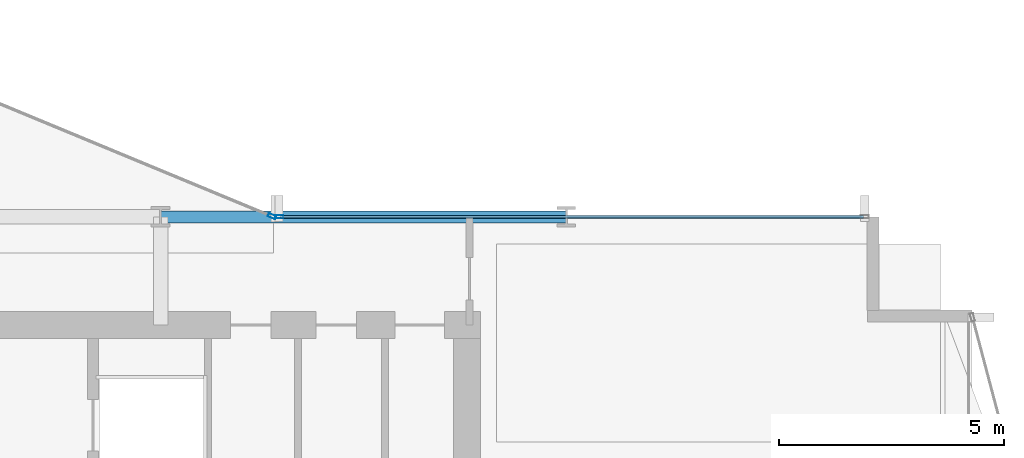
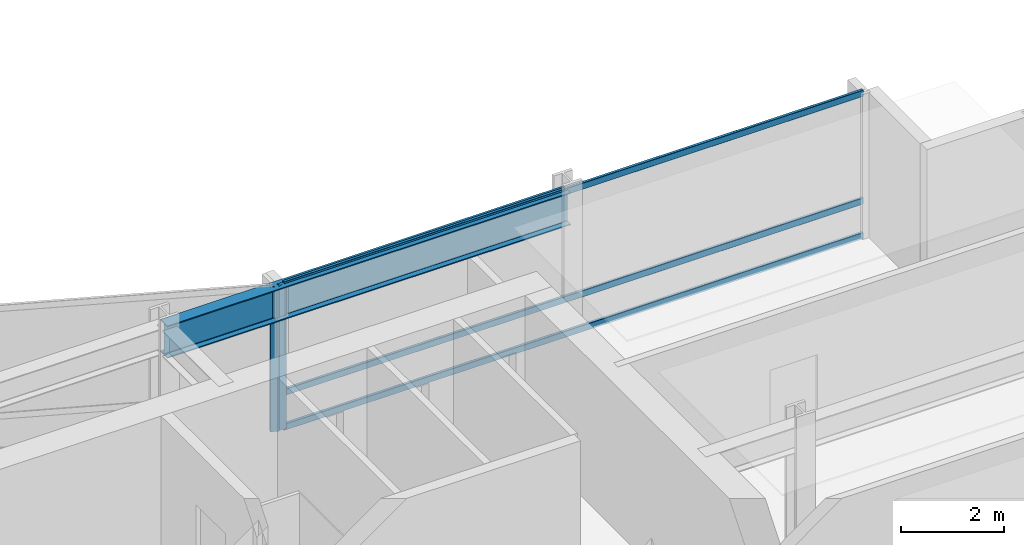
# One storey, part 13 of 28: 5 members, 1 beam, 2 elements without a shape of their own.
"""IFC4 building model written with IfcOpenShell, lengths in metres."""

from ifc_helpers import new_model, si_unit, direction, frame, origin, origin_2d, place, context, subcontext, project, spatial, hollow_rectangle, i_section, extrude, material, layer, layer_set, material_profile, profile_set, type_object, element, aggregate, save


model = new_model("IFC4")

# Units and contexts
model_context = context("Model", 3, precision=1e-05, world=origin(), true_north=direction((0.0, 1.0)))
body_context = subcontext(model_context, "Body", "Model", "MODEL_VIEW")
ifc_project = project(units=[si_unit("LENGTHUNIT", "METRE"), si_unit("AREAUNIT", "SQUARE_METRE"), si_unit("VOLUMEUNIT", "CUBIC_METRE"), si_unit("PLANEANGLEUNIT", "RADIAN"), si_unit("MASSUNIT", "GRAM", prefix="KILO")], contexts=[model_context])

# Site, building, storey
site_placement = place(None, origin())
site = spatial("IfcSite", under=ifc_project, at=site_placement, CompositionType="ELEMENT")
building_placement = place(site_placement, origin())
building = spatial("IfcBuilding", under=site, at=building_placement, Name="Solvaryn Broadcast Tower", CompositionType="ELEMENT")
storey_placement = place(building_placement, frame((0.0, 0.0, 110.0)))
storey = spatial("IfcBuildingStorey", under=building, at=storey_placement, Name="L26", CompositionType="ELEMENT", Elevation=110.0)

# Beam
ifc_material_1 = material(Name="Steel ASTM A992 Grade 50", Category="steel")
ifc_material_profile_1 = material_profile(ifc_material_1, i_section(OverallWidth=0.26708984375, OverallDepth=0.76611328125, WebThickness=0.014892578125, FlangeThickness=0.023681640625, FilletRadius=0.01806640625, at=origin_2d()))
ifc_profile_set_1 = profile_set([ifc_material_profile_1], Name="Steel ASTM A992 Grade 50")
beam_type = type_object("IfcBeamType", Name="BM-SP2-W30X124", PredefinedType="USERDEFINED", material=ifc_profile_set_1)
beam_placement = place(storey_placement, frame((36.0, 27.0, 3.037109375), z_axis=(1.0, 0.0, 0.0), x_axis=(0.0, 1.0, 0.0)))
element("IfcBeam", 1, at=beam_placement, inside=storey, type_object=beam_type, Name="L26 Spandrel Beam X (36-45 @ Y=27)", ObjectType="SPANDREL", PredefinedType="USERDEFINED", context=body_context, shape_type="SweptSolid", body=[
    extrude(i_section(OverallWidth=0.26708984375, OverallDepth=0.76611328125, WebThickness=0.014892578125, FlangeThickness=0.023681640625, FilletRadius=0.01806640625, at=origin_2d()), origin(), (0.0, 0.0, 1.0), 9.0),
])

# Curtain wall, member
ifc_material_2 = material(Name="Aluminium and Terracotta Unitised Curtain Wall", Category="masonry")
ifc_layer = layer(ifc_material_2, 0.199951171875)
ifc_layer_set = layer_set([ifc_layer], Name="CW-SYS2-LOWMID")
curtain_wall_type = type_object("IfcCurtainWallType", Name="CW-SYS2-LOWMID", PredefinedType="NOTDEFINED", material=ifc_layer_set)
curtain_wall_1_placement = place(storey_placement, origin())
curtain_wall_1 = element("IfcCurtainWall", 2, at=curtain_wall_1_placement, inside=storey, type_object=curtain_wall_type, Name="L26 Curtain Wall CN1", PredefinedType="NOTDEFINED")
ifc_material_3 = material(Name="Anodised Aluminium 6063-T6", Category="aluminium")
ifc_material_profile_2 = material_profile(ifc_material_3, hollow_rectangle(XDim=0.074951171875, YDim=0.179931640625, WallThickness=0.00390625, InnerFilletRadius=0.00390625, OuterFilletRadius=0.008056640625, at=origin_2d()))
ifc_profile_set_2 = profile_set([ifc_material_profile_2], Name="Anodised Aluminium 6063-T6")
member_type_1 = type_object("IfcMemberType", Name="CW-MUL-180", PredefinedType="MULLION", material=ifc_profile_set_2)
member_1_placement = place(storey_placement, frame((38.47216796875, 27.011474609375, 0.0), z_axis=(0.0, 0.0, 1.0), x_axis=(-0.382646127145, -0.923894983957, 0.0)))
member_1 = element("IfcMember", 3, at=member_1_placement, type_object=member_type_1, Name="CWS2 mullion 1", PredefinedType="MULLION", context=body_context, shape_type="SweptSolid", body=[
    extrude(hollow_rectangle(XDim=0.074951171875, YDim=0.179931640625, WallThickness=0.00390625, InnerFilletRadius=0.00390625, OuterFilletRadius=0.008056640625, at=origin_2d()), origin(), (0.0, 0.0, 1.0), 3.419921875),
])
aggregate(curtain_wall_1, [member_1])

# Curtain wall, members
curtain_wall_2_placement = place(storey_placement, origin())
curtain_wall_2 = element("IfcCurtainWall", 4, at=curtain_wall_2_placement, inside=storey, type_object=curtain_wall_type, Name="L26 Curtain Wall IH", PredefinedType="NOTDEFINED")
member_2_placement = place(storey_placement, frame((38.6298828125, 27.0, 0.0), z_axis=(0.0, 0.0, 1.0), x_axis=(0.0, 1.0, 0.0)))
member_2 = element("IfcMember", 5, at=member_2_placement, type_object=member_type_1, Name="CWS2 mullion 1", PredefinedType="MULLION", context=body_context, shape_type="SweptSolid", body=[
    extrude(hollow_rectangle(XDim=0.074951171875, YDim=0.179931640625, WallThickness=0.00390625, InnerFilletRadius=0.00390625, OuterFilletRadius=0.008056640625, at=origin_2d()), origin(), (0.0, 0.0, 1.0), 3.419921875),
])
ifc_material_4 = material(Name="Anodised Aluminium 6063-T6", Category="aluminium")
ifc_material_profile_3 = material_profile(ifc_material_4, hollow_rectangle(XDim=0.06494140625, YDim=0.14990234375, WallThickness=0.00390625, InnerFilletRadius=0.00390625, OuterFilletRadius=0.008056640625, at=origin_2d()))
ifc_profile_set_3 = profile_set([ifc_material_profile_3], Name="Anodised Aluminium 6063-T6")
member_type_2 = type_object("IfcMemberType", Name="CW-TRN-150", PredefinedType="USERDEFINED", material=ifc_profile_set_3)
member_3_placement = place(storey_placement, frame((38.659912109375, 27.0, 0.030029296875), z_axis=(1.0, 0.0, 0.0), x_axis=(0.0, 1.0, 0.0)))
member_3 = element("IfcMember", 6, at=member_3_placement, type_object=member_type_2, Name="CWS2 transom 1.1", ObjectType="TRANSOM", PredefinedType="USERDEFINED", context=body_context, shape_type="SweptSolid", body=[
    extrude(hollow_rectangle(XDim=0.06494140625, YDim=0.14990234375, WallThickness=0.00390625, InnerFilletRadius=0.00390625, OuterFilletRadius=0.008056640625, at=origin_2d()), origin(), (0.0, 0.0, 1.0), 12.93017578125),
])
member_4_placement = place(storey_placement, frame((38.659912109375, 27.0, 0.85009765625), z_axis=(1.0, 0.0, 0.0), x_axis=(0.0, 1.0, 0.0)))
member_4 = element("IfcMember", 7, at=member_4_placement, type_object=member_type_2, Name="CWS2 transom 1.2", ObjectType="TRANSOM", PredefinedType="USERDEFINED", context=body_context, shape_type="SweptSolid", body=[
    extrude(hollow_rectangle(XDim=0.06494140625, YDim=0.14990234375, WallThickness=0.00390625, InnerFilletRadius=0.00390625, OuterFilletRadius=0.008056640625, at=origin_2d()), origin(), (0.0, 0.0, 1.0), 12.93017578125),
])
member_5_placement = place(storey_placement, frame((38.659912109375, 27.0, 3.389892578125), z_axis=(1.0, 0.0, 0.0), x_axis=(0.0, 1.0, 0.0)))
member_5 = element("IfcMember", 8, at=member_5_placement, type_object=member_type_2, Name="CWS2 transom 1.3", ObjectType="TRANSOM", PredefinedType="USERDEFINED", context=body_context, shape_type="SweptSolid", body=[
    extrude(hollow_rectangle(XDim=0.06494140625, YDim=0.14990234375, WallThickness=0.00390625, InnerFilletRadius=0.00390625, OuterFilletRadius=0.008056640625, at=origin_2d()), origin(), (0.0, 0.0, 1.0), 12.93017578125),
])
aggregate(curtain_wall_2, [member_2, member_3, member_4, member_5])

save(model, "model.ifc")
